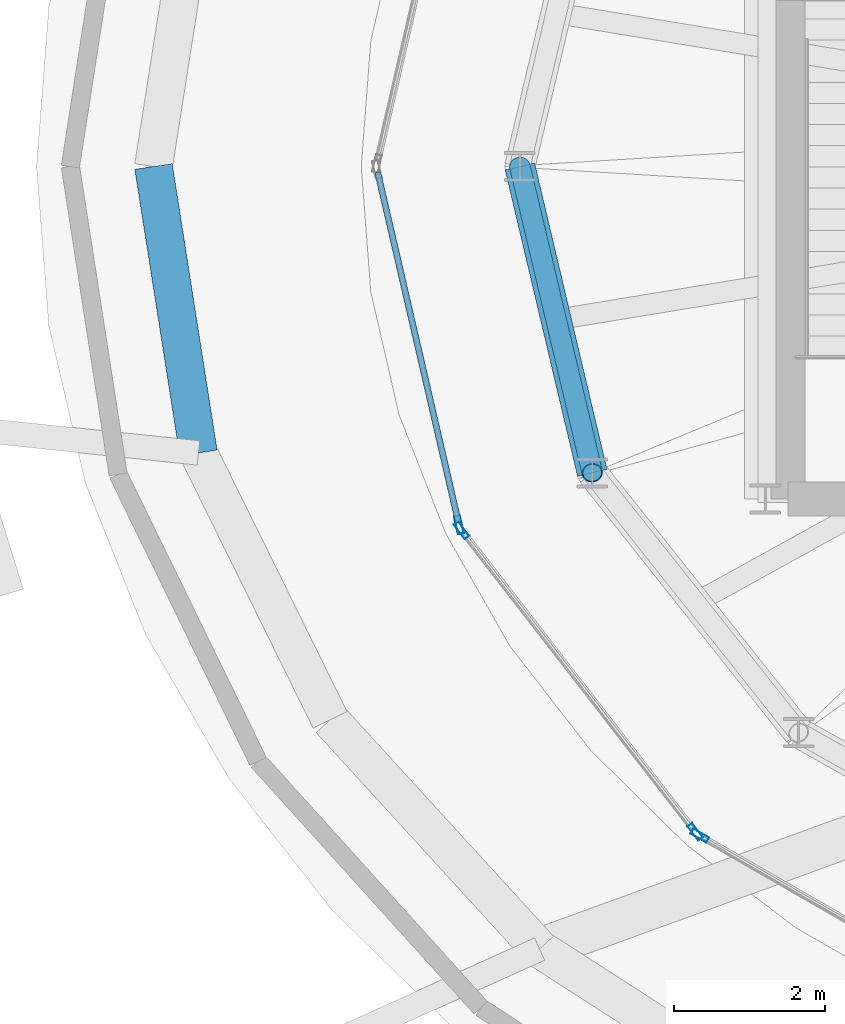
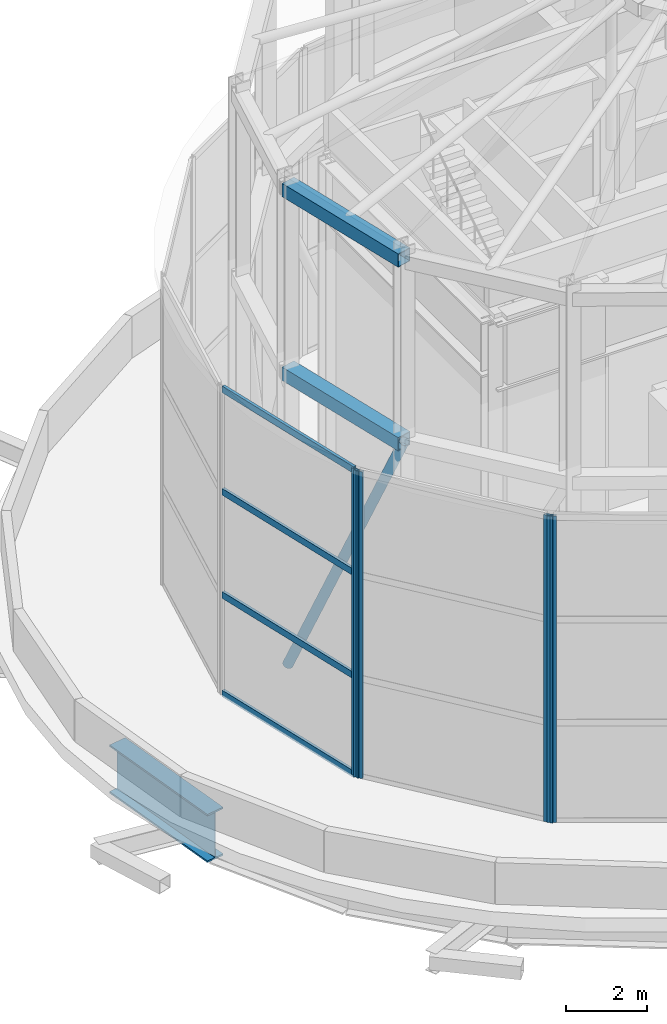
# One storey, part 3 of 22: 9 members, 3 beams, 3 elements without a shape of their own.
"""IFC4 building model written with IfcOpenShell, lengths in metres."""

import ifcopenshell
import ifcopenshell.guid

model = None  # the IFC model being written
_history = None  # IfcOwnerHistory: only IFC2X3 demands one
_inside = {}  # id of a spatial element -> (the spatial element, [elements in it])
_under = {}  # id of a project, library or spatial element -> (it, [spatial elements below it])
_declared = {}  # id of a project -> (the project, [libraries it declares])
_typed = {}  # id of a type object -> (the type object, [elements of that type])
_made_of = {}  # id of a material, layer set ... -> (it, [elements and type objects made of it])


def new_model(schema):
    """Start an empty IFC model of exactly this schema.

    Asked for "IFC4X3", IfcOpenShell would pick the latest addendum, in which some entities
    have other attributes; the version numbers below select the first issue.
    IFC2X3 requires an IfcOwnerHistory on every rooted entity: one is made here for all.
    """
    global model, _history
    if schema == "IFC4X3":
        model = ifcopenshell.file(schema_version=(4, 3, 0, 0))
    else:
        model = ifcopenshell.file(schema=schema)
    _inside.clear()
    _under.clear()
    _declared.clear()
    _typed.clear()
    _made_of.clear()
    _history = None
    if model.schema == "IFC2X3":
        org = make("IfcOrganization", Name="unknown")
        user = make(
            "IfcPersonAndOrganization",
            ThePerson=make("IfcPerson", FamilyName="unknown"),
            TheOrganization=org,
        )
        app = make(
            "IfcApplication",
            ApplicationDeveloper=org,
            Version="unknown",
            ApplicationFullName="unknown",
            ApplicationIdentifier="unknown",
        )
        _history = make(
            "IfcOwnerHistory",
            OwningUser=user,
            OwningApplication=app,
            ChangeAction="ADDED",
            CreationDate=0,
        )
    return model


def make(cls, **values):
    """One entity of the class cls with the attributes given. An attribute that is None is left unset."""
    return model.create_entity(
        cls, **{name: value for name, value in values.items() if value is not None}
    )


def rooted(cls, **values):
    """An entity with a GlobalId (a new one), such as an element, a storey or a relation."""
    return make(cls, GlobalId=ifcopenshell.guid.new(), OwnerHistory=_history, **values)


def si_unit(unit_type, name, prefix=None):
    """IfcSIUnit, for example si_unit("LENGTHUNIT", "METRE", prefix="MILLI")."""
    return make("IfcSIUnit", UnitType=unit_type, Prefix=prefix, Name=name)


def assignment(units):
    """IfcUnitAssignment: the units of a project."""
    return None if units is None else make("IfcUnitAssignment", Units=units)


def point(xyz):
    """IfcCartesianPoint."""
    return None if xyz is None else make("IfcCartesianPoint", Coordinates=xyz)


def direction(xyz):
    """IfcDirection."""
    return None if xyz is None else make("IfcDirection", DirectionRatios=xyz)


def frame(location, z_axis=None, x_axis=None):
    """IfcAxis2Placement3D, a coordinate frame: its origin and axes. An axis left out is left unset."""
    return make(
        "IfcAxis2Placement3D",
        Location=point(location),
        Axis=direction(z_axis),
        RefDirection=direction(x_axis),
    )


def frame_2d(location, x_axis=None):
    """IfcAxis2Placement2D, a coordinate frame in the plane: its origin and x axis."""
    return make(
        "IfcAxis2Placement2D", Location=point(location), RefDirection=direction(x_axis)
    )


def origin():
    """The frame at (0, 0, 0) with its axes left unset."""
    return frame((0.0, 0.0, 0.0))


def origin_2d():
    """The frame at (0, 0) in the plane with its x axis left unset."""
    return frame_2d((0.0, 0.0))


def place(relative_to, where):
    """IfcLocalPlacement: puts the frame where relative to a parent placement (None: the world)."""
    return make(
        "IfcLocalPlacement", PlacementRelTo=relative_to, RelativePlacement=where
    )


def context(
    kind, dimensions, precision=None, world=None, true_north=None, identifier=None
):
    """IfcGeometricRepresentationContext, for example the 3D "Model" context."""
    return make(
        "IfcGeometricRepresentationContext",
        ContextIdentifier=identifier,
        ContextType=kind,
        CoordinateSpaceDimension=dimensions,
        Precision=precision,
        WorldCoordinateSystem=world,
        TrueNorth=true_north,
    )


def subcontext(parent, identifier, kind, view, scale=None):
    """IfcGeometricRepresentationSubContext, for example "Body" below "Model"."""
    return make(
        "IfcGeometricRepresentationSubContext",
        ContextIdentifier=identifier,
        ContextType=kind,
        ParentContext=parent,
        TargetScale=scale,
        TargetView=view,
    )


def project(units=None, contexts=None):
    """IfcProject with its units and contexts."""
    return rooted(
        "IfcProject",
        Name="project",
        RepresentationContexts=contexts,
        UnitsInContext=assignment(units),
    )


def spatial(cls, under=None, at=None, **own):
    """A site, building, storey or space (cls), placed at a placement, below another one or the project."""
    s = rooted(cls, ObjectPlacement=at, **own)
    if under is not None:
        _under.setdefault(under.id(), (under, []))[1].append(s)
    return s


def profile(cls, at=None, kind="AREA", **sizes):
    """A parametric profile (cls). Its sizes go by their IFC names, for example OverallWidth=200.0."""
    return make(cls, ProfileType=kind, Position=at, **sizes)


def hollow_rectangle(**sizes):
    """IfcRectangleHollowProfileDef."""
    return profile("IfcRectangleHollowProfileDef", **sizes)


def hollow_circle(**sizes):
    """IfcCircleHollowProfileDef."""
    return profile("IfcCircleHollowProfileDef", **sizes)


def i_section(**sizes):
    """IfcIShapeProfileDef."""
    return profile("IfcIShapeProfileDef", **sizes)


def extrude(swept, where, along, depth):
    """IfcExtrudedAreaSolid: the profile swept, set in the frame where, extruded along a direction by depth."""
    return make(
        "IfcExtrudedAreaSolid",
        SweptArea=swept,
        Position=where,
        ExtrudedDirection=direction(along),
        Depth=depth,
    )


def shape(context_of_items, identifier, shape_type, items):
    """IfcShapeRepresentation: the items that make up one representation, for example the "Body"."""
    return make(
        "IfcShapeRepresentation",
        ContextOfItems=context_of_items,
        RepresentationIdentifier=identifier,
        RepresentationType=shape_type,
        Items=items,
    )


def material(Name=None, Category=None):
    """IfcMaterial."""
    return make("IfcMaterial", Name=Name, Category=Category)


def layer(
    of_material, thickness, ventilated=None, Name=None, Category=None, Priority=None
):
    """IfcMaterialLayer: one layer of a wall or slab, of a material (None: an air gap)."""
    return make(
        "IfcMaterialLayer",
        Material=of_material,
        LayerThickness=thickness,
        IsVentilated=ventilated,
        Name=Name,
        Category=Category,
        Priority=Priority,
    )


def layer_set(layers, Name=None):
    """IfcMaterialLayerSet."""
    return make("IfcMaterialLayerSet", MaterialLayers=layers, LayerSetName=Name)


def material_profile(
    of_material, cross_section, Name=None, Category=None, Priority=None
):
    """IfcMaterialProfile: a cross section and its material."""
    return make(
        "IfcMaterialProfile",
        Name=Name,
        Material=of_material,
        Profile=cross_section,
        Priority=Priority,
        Category=Category,
    )


def profile_set(profiles, Name=None, composite=None):
    """IfcMaterialProfileSet."""
    return make(
        "IfcMaterialProfileSet",
        Name=Name,
        MaterialProfiles=profiles,
        CompositeProfile=composite,
    )


def made_of(thing, what):
    """Note that an element or type object is made of a material, layer set ...; save() writes the relation."""
    if what is not None:
        _made_of.setdefault(what.id(), (what, []))[1].append(thing)
    return thing


def type_object(cls, material=None, **own):
    """A type object (cls), such as IfcWallType, which elements share."""
    return made_of(rooted(cls, **own), material)


def element(
    cls,
    number,
    at=None,
    inside=None,
    cuts=None,
    type_object=None,
    material=None,
    context=None,
    identifier="Body",
    shape_type=None,
    held_by="IfcProductDefinitionShape",
    body=None,
    shapes=None,
    **own,
):
    """One element of the class cls, such as IfcWall. Its Tag is "e" and its number.

    at: its placement. inside: the storey or other place that contains it. cuts: it is an
    opening in that element (IfcRelVoidsElement). A single representation is given by context,
    identifier, shape_type and body (its items); several are given by shapes. held_by: the class
    of the entity that holds the representations. save() writes the other relations.
    """
    e = rooted(cls, Tag="e%d" % number, ObjectPlacement=at, **own)
    if body is not None:
        shapes = [shape(context, identifier, shape_type, body)]
    if shapes is not None:
        e.Representation = make(held_by, Representations=shapes)
    if inside is not None:
        _inside.setdefault(inside.id(), (inside, []))[1].append(e)
    if cuts is not None:
        rooted(
            "IfcRelVoidsElement", RelatingBuildingElement=cuts, RelatedOpeningElement=e
        )
    if type_object is not None:
        _typed.setdefault(type_object.id(), (type_object, []))[1].append(e)
    return made_of(e, material)


def aggregate(whole, parts):
    """IfcRelAggregates: a whole, such as a stair, and the parts it consists of."""
    return rooted("IfcRelAggregates", RelatingObject=whole, RelatedObjects=parts)


def save(model, path):
    """Write the relations noted so far, then the file.

    IfcRelAggregates (storeys below a building ...), IfcRelContainedInSpatialStructure (elements
    in a storey), IfcRelDefinesByType, IfcRelAssociatesMaterial and IfcRelDeclares: one each for
    every whole, place, type object, material and project.
    """
    for whole, parts in _under.values():
        aggregate(whole, parts)
    for where, things in _inside.values():
        rooted(
            "IfcRelContainedInSpatialStructure",
            RelatedElements=things,
            RelatingStructure=where,
        )
    for kind, things in _typed.values():
        rooted("IfcRelDefinesByType", RelatedObjects=things, RelatingType=kind)
    for what, things in _made_of.values():
        rooted("IfcRelAssociatesMaterial", RelatedObjects=things, RelatingMaterial=what)
    for by, libraries in _declared.values():
        rooted("IfcRelDeclares", RelatingContext=by, RelatedDefinitions=libraries)
    model.write(path)


model = new_model("IFC4")

# Units and contexts
model_context = context("Model", 3, precision=1e-05, world=origin(), true_north=direction((0.0, 1.0)))
body_context = subcontext(model_context, "Body", "Model", "MODEL_VIEW")
ifc_project = project(units=[si_unit("LENGTHUNIT", "METRE"), si_unit("AREAUNIT", "SQUARE_METRE"), si_unit("VOLUMEUNIT", "CUBIC_METRE"), si_unit("PLANEANGLEUNIT", "RADIAN"), si_unit("MASSUNIT", "GRAM", prefix="KILO")], contexts=[model_context])

# Site, building, storey
site_placement = place(None, origin())
site = spatial("IfcSite", under=ifc_project, at=site_placement, CompositionType="ELEMENT")
building_placement = place(site_placement, origin())
building = spatial("IfcBuilding", under=site, at=building_placement, Name="Nuhasar Tower", CompositionType="ELEMENT")
storey_placement = place(building_placement, frame((0.0, 0.0, 313.39990234375)))
storey = spatial("IfcBuildingStorey", under=building, at=storey_placement, Name="Roof Drum", CompositionType="ELEMENT", Elevation=313.39990234375)

# Beams
ifc_material_1 = material(Name="Steel S355", Category="steel")
ifc_material_profile_1 = material_profile(ifc_material_1, hollow_rectangle(XDim=0.39990234375, YDim=0.39990234375, WallThickness=0.01611328125, at=origin_2d()), Name="HSS400X400X16")
ifc_profile_set_1 = profile_set([ifc_material_profile_1], Name="Steel S355")
beam_type_1 = type_object("IfcBeamType", Name="BM-CRN-HSS400", PredefinedType="SPANDREL", material=ifc_profile_set_1)
for number, where, z_axis, x_axis, name in (
    (1, (26.39990234375, 26.800048828125, 9.02001953125), (0.230083955502, -0.973170783275, 0.0), (0.973170783275, 0.230083955502, 0.0), "Crown Drum Eave Ring Beam 09"),
    (2, (26.39990234375, 26.800048828125, 14.5400390625), (0.230083955502, -0.973170783275, 0.0), (0.973170783275, 0.230083955502, 0.0), "Crown Drum Top Ring Beam 09"),
):
    element("IfcBeam", number, at=place(storey_placement, frame(where, z_axis=z_axis, x_axis=x_axis)), inside=storey, type_object=beam_type_1, Name=name, PredefinedType="SPANDREL", context=body_context, shape_type="SweptSolid", body=[
        extrude(hollow_rectangle(XDim=0.39990234375, YDim=0.39990234375, WallThickness=0.01611328125, at=origin_2d()), origin(), (0.0, 0.0, 1.0), 4.16796875),
    ])
ifc_material_2 = material(Name="Steel S460", Category="steel")
ifc_material_profile_2 = material_profile(ifc_material_2, i_section(OverallWidth=0.5, OverallDepth=1.449951171875, WebThickness=0.028076171875, FlangeThickness=0.050048828125, at=origin_2d()), Name="PG1450X500")
ifc_profile_set_2 = profile_set([ifc_material_profile_2], Name="Steel S460")
beam_type_2 = type_object("IfcBeamType", Name="BM-XFER-PG1450", PredefinedType="USERDEFINED", material=ifc_profile_set_2)
beam_placement = place(storey_placement, frame((21.550048828125, 26.800048828125, -1.14501953125), z_axis=(0.155005502158, -0.987913606699, 0.0), x_axis=(0.987913606699, 0.155005502158, 0.0)))
element("IfcBeam", 3, at=beam_placement, inside=storey, type_object=beam_type_2, Name="Roof Drum Outer Setback Spandrel 13", ObjectType="GIRDER", PredefinedType="USERDEFINED", context=body_context, shape_type="SweptSolid", body=[
    extrude(i_section(OverallWidth=0.5, OverallDepth=1.449951171875, WebThickness=0.028076171875, FlangeThickness=0.050048828125, at=origin_2d()), origin(), (0.0, 0.0, 1.0), 3.83837890625),
])

# Member
ifc_material_profile_3 = material_profile(ifc_material_1, hollow_circle(Radius=0.136474609375, WallThickness=0.0126953125, at=origin_2d()), Name="HSS273.1X12.7")
ifc_profile_set_3 = profile_set([ifc_material_profile_3], Name="Steel S355")
member_type_1 = type_object("IfcMemberType", Name="CRN-DIAG-273", PredefinedType="BRACE", material=ifc_profile_set_3)
member_1_placement = place(storey_placement, frame((26.39990234375, 26.800048828125, 0.2001953125), z_axis=(0.098306287971, -0.415799559152, 0.904127535448), x_axis=(0.973170783275, 0.230083955502, 0.0)))
element("IfcMember", 4, at=member_1_placement, inside=storey, type_object=member_type_1, Name="Crown Drum Frame Brace 09", PredefinedType="BRACE", context=body_context, shape_type="SweptSolid", body=[
    extrude(hollow_circle(Radius=0.136474609375, WallThickness=0.0126953125, at=origin_2d()), origin(), (0.0, 0.0, 1.0), 9.755126953125),
])

# Curtain wall, member
ifc_material_3 = material(Name="Aluminium 6063-T6", Category="aluminium")
ifc_layer = layer(ifc_material_3, 0.219970703125)
ifc_layer_set = layer_set([ifc_layer], Name="Aluminium 6063-T6")
curtain_wall_type = type_object("IfcCurtainWallType", Name="CW-CROWN", PredefinedType="NOTDEFINED", material=ifc_layer_set)
curtain_wall_1_placement = place(storey_placement, origin())
curtain_wall_1 = element("IfcCurtainWall", 5, at=curtain_wall_1_placement, inside=storey, type_object=curtain_wall_type, Name="Crown Lantern Curtain Wall 09", PredefinedType="NOTDEFINED")
ifc_material_profile_4 = material_profile(ifc_material_3, hollow_rectangle(XDim=0.080078125, YDim=0.239990234375, WallThickness=0.0048828125, at=origin_2d()), Name="CWM-7")
ifc_profile_set_4 = profile_set([ifc_material_profile_4], Name="Aluminium 6063-T6")
member_type_2 = type_object("IfcMemberType", Name="CW-MUL-S7", PredefinedType="MULLION", material=ifc_profile_set_4)
member_2_placement = place(storey_placement, frame((25.594970703125, 22.054931640625, 0.0), z_axis=(0.0, 0.0, 1.0), x_axis=(0.974391195694, 0.2248595067, 0.0)))
member_2 = element("IfcMember", 6, at=member_2_placement, type_object=member_type_2, Name="CW-CR mullion 2", PredefinedType="MULLION", context=body_context, shape_type="SweptSolid", body=[
    extrude(hollow_rectangle(XDim=0.080078125, YDim=0.239990234375, WallThickness=0.0048828125, at=origin_2d()), origin(), (0.0, 0.0, 1.0), 9.22021484375),
])

# Curtain wall, members
curtain_wall_2_placement = place(storey_placement, origin())
curtain_wall_2 = element("IfcCurtainWall", 7, at=curtain_wall_2_placement, inside=storey, type_object=curtain_wall_type, Name="Crown Lantern Curtain Wall 10", PredefinedType="NOTDEFINED")
member_3_placement = place(storey_placement, frame((25.62841796875, 21.984375, 0.0), z_axis=(0.0, 0.0, 1.0), x_axis=(0.79037966023, 0.612617329738, 0.0)))
member_3 = element("IfcMember", 8, at=member_3_placement, type_object=member_type_2, Name="CW-CR mullion 1", PredefinedType="MULLION", context=body_context, shape_type="SweptSolid", body=[
    extrude(hollow_rectangle(XDim=0.080078125, YDim=0.239990234375, WallThickness=0.0048828125, at=origin_2d()), origin(), (0.0, 0.0, 1.0), 9.22021484375),
])
member_4_placement = place(storey_placement, frame((28.722412109375, 17.99267578125, 0.0), z_axis=(0.0, 0.0, 1.0), x_axis=(0.79037966023, 0.612617329738, 0.0)))
member_4 = element("IfcMember", 9, at=member_4_placement, type_object=member_type_2, Name="CW-CR mullion 2", PredefinedType="MULLION", context=body_context, shape_type="SweptSolid", body=[
    extrude(hollow_rectangle(XDim=0.080078125, YDim=0.239990234375, WallThickness=0.0048828125, at=origin_2d()), origin(), (0.0, 0.0, 1.0), 9.22021484375),
])
aggregate(curtain_wall_2, [member_3, member_4])

# Curtain wall, member
curtain_wall_3_placement = place(storey_placement, origin())
curtain_wall_3 = element("IfcCurtainWall", 10, at=curtain_wall_3_placement, inside=storey, type_object=curtain_wall_type, Name="Crown Lantern Curtain Wall 11", PredefinedType="NOTDEFINED")
member_5_placement = place(storey_placement, frame((28.78173828125, 17.94091796875, 0.0), z_axis=(0.0, 0.0, 1.0), x_axis=(0.499052486842, 0.866571760085, 0.0)))
member_5 = element("IfcMember", 11, at=member_5_placement, type_object=member_type_2, Name="CW-CR mullion 1", PredefinedType="MULLION", context=body_context, shape_type="SweptSolid", body=[
    extrude(hollow_rectangle(XDim=0.080078125, YDim=0.239990234375, WallThickness=0.0048828125, at=origin_2d()), origin(), (0.0, 0.0, 1.0), 9.22021484375),
])
aggregate(curtain_wall_3, [member_5])

# Member
ifc_material_profile_5 = material_profile(ifc_material_3, hollow_rectangle(XDim=0.080078125, YDim=0.199951171875, WallThickness=0.00439453125, at=origin_2d()), Name="CWT-7")
ifc_profile_set_5 = profile_set([ifc_material_profile_5], Name="Aluminium 6063-T6")
member_type_3 = type_object("IfcMemberType", Name="CW-TRN-S7", PredefinedType="USERDEFINED", material=ifc_profile_set_5)
member_6_placement = place(storey_placement, frame((24.51806640625, 26.72216796875, 0.0400390625), z_axis=(0.224825720852, -0.974398991812, 0.0), x_axis=(0.974398991812, 0.224825720852, 0.0)))
member_6 = element("IfcMember", 12, at=member_6_placement, type_object=member_type_3, Name="CW-CR transom 1.1", ObjectType="TRANSOM", PredefinedType="USERDEFINED", context=body_context, shape_type="SweptSolid", body=[
    extrude(hollow_rectangle(XDim=0.080078125, YDim=0.199951171875, WallThickness=0.00439453125, at=origin_2d()), origin(), (0.0, 0.0, 1.0), 4.749755859375),
])

member_7_placement = place(storey_placement, frame((24.51806640625, 26.72216796875, 3.0), z_axis=(0.224825720852, -0.974398991812, 0.0), x_axis=(0.974398991812, 0.224825720852, 0.0)))
member_7 = element("IfcMember", 13, at=member_7_placement, type_object=member_type_3, Name="CW-CR transom 1.2", ObjectType="TRANSOM", PredefinedType="USERDEFINED", context=body_context, shape_type="SweptSolid", body=[
    extrude(hollow_rectangle(XDim=0.080078125, YDim=0.199951171875, WallThickness=0.00439453125, at=origin_2d()), origin(), (0.0, 0.0, 1.0), 4.749755859375),
])

member_8_placement = place(storey_placement, frame((24.51806640625, 26.72216796875, 6.10009765625), z_axis=(0.224825720852, -0.974398991812, 0.0), x_axis=(0.974398991812, 0.224825720852, 0.0)))
member_8 = element("IfcMember", 14, at=member_8_placement, type_object=member_type_3, Name="CW-CR transom 1.3", ObjectType="TRANSOM", PredefinedType="USERDEFINED", context=body_context, shape_type="SweptSolid", body=[
    extrude(hollow_rectangle(XDim=0.080078125, YDim=0.199951171875, WallThickness=0.00439453125, at=origin_2d()), origin(), (0.0, 0.0, 1.0), 4.749755859375),
])

member_9_placement = place(storey_placement, frame((24.51806640625, 26.72216796875, 9.18017578125), z_axis=(0.224825720852, -0.974398991812, 0.0), x_axis=(0.974398991812, 0.224825720852, 0.0)))
member_9 = element("IfcMember", 15, at=member_9_placement, type_object=member_type_3, Name="CW-CR transom 1.4", ObjectType="TRANSOM", PredefinedType="USERDEFINED", context=body_context, shape_type="SweptSolid", body=[
    extrude(hollow_rectangle(XDim=0.080078125, YDim=0.199951171875, WallThickness=0.00439453125, at=origin_2d()), origin(), (0.0, 0.0, 1.0), 4.749755859375),
])

aggregate(curtain_wall_1, [member_2, member_6, member_7, member_8, member_9])

save(model, "model.ifc")
